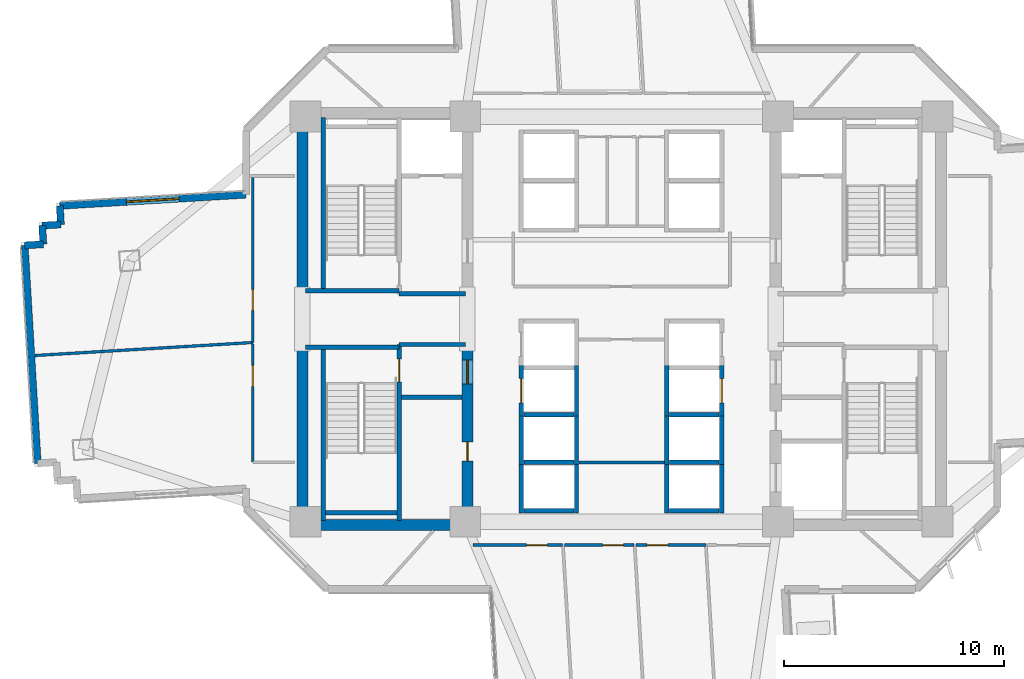
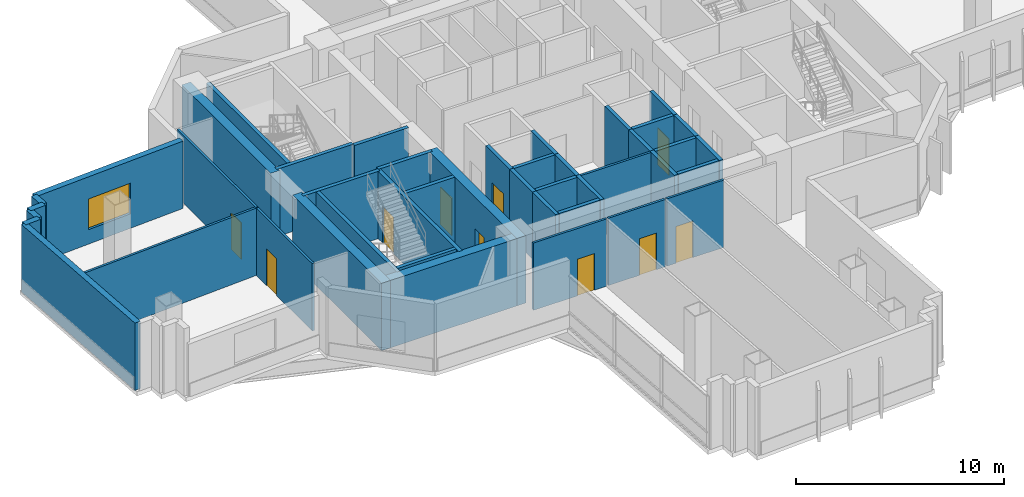
# One storey, part 6 of 15: 44 walls, 10 doors, 1 window, 11 openings.
"""IFC4 building model written with IfcOpenShell, lengths in metres."""

from ifc_helpers import new_model, si_unit, direction, frame, frame_2d, origin, place, context, subcontext, project, spatial, rectangle, extrude, source, transform, mapped, material, layer, layer_set, type_object, element, fill, save


model = new_model("IFC4")

# Units and contexts
model_context = context("Model", 3, precision=1e-05, world=origin(), true_north=direction((0.0, 1.0)))
body_context = subcontext(model_context, "Body", "Model", "MODEL_VIEW")
ifc_project = project(units=[si_unit("LENGTHUNIT", "METRE"), si_unit("AREAUNIT", "SQUARE_METRE"), si_unit("VOLUMEUNIT", "CUBIC_METRE"), si_unit("PLANEANGLEUNIT", "RADIAN"), si_unit("MASSUNIT", "GRAM", prefix="KILO")], contexts=[model_context])

# Site, building, storey
site_placement = place(None, origin())
site = spatial("IfcSite", under=ifc_project, at=site_placement, CompositionType="ELEMENT")
building_placement = place(site_placement, origin())
building = spatial("IfcBuilding", under=site, at=building_placement, Name="Zahravan Cultural Tower", CompositionType="ELEMENT")
storey_placement = place(building_placement, frame((0.0, 0.0, 71.10009765625)))
storey = spatial("IfcBuildingStorey", under=building, at=storey_placement, Name="L15", CompositionType="ELEMENT", Elevation=71.10009765625)

# Wall, openings, doors
ifc_material_1 = material(Name="Concrete C60/75", Category="concrete")
ifc_layer_1 = layer(ifc_material_1, 0.5)
ifc_layer_set_1 = layer_set([ifc_layer_1], Name="Concrete C60/75")
wall_type_1 = type_object("IfcWallType", Name="CW-SHEAR-500-C60", PredefinedType="SHEAR", material=ifc_layer_set_1)
wall_1_placement = place(storey_placement, frame((29.0, 17.39990234375, 0.0), z_axis=(0.0, 0.0, 1.0), x_axis=(0.0, 1.0, 0.0)))
wall_1 = element("IfcWall", 1, at=wall_1_placement, inside=storey, type_object=wall_type_1, Name="L15 Core Shear Wall CW-W-ES-L15", PredefinedType="SHEAR", context=body_context, shape_type="SweptSolid", body=[
    extrude(rectangle(XDim=8.550048828125, YDim=0.5, at=frame_2d((4.27490234375, 0.0))), origin(), (0.0, 0.0, 1.0), 3.949951171875),
])
opening_1_placement = place(wall_1_placement, frame((6.64990234375, 0.0, 0.0)))
opening_1 = element("IfcOpeningElement", 2, at=opening_1_placement, cuts=wall_1, Name="Opening D-L15-07", PredefinedType="OPENING", context=body_context, shape_type="SweptSolid", body=[
    extrude(rectangle(XDim=1.10009765625, YDim=2.199951171875, at=frame_2d((0.550048828125, 1.10009765625))), frame((0.0, 0.260009765625, 0.0), z_axis=(0.0, -1.0, 0.0), x_axis=(1.0, 0.0, 0.0)), (0.0, 0.0, 1.0), 0.52001953125),
])
opening_2_placement = place(wall_1_placement, frame((3.14990234375, 0.0, 0.0)))
opening_2 = element("IfcOpeningElement", 3, at=opening_2_placement, cuts=wall_1, Name="Opening D-L15-09", PredefinedType="OPENING", context=body_context, shape_type="SweptSolid", body=[
    extrude(rectangle(XDim=0.8798828125, YDim=2.10009765625, at=frame_2d((0.43994140625, 1.050048828125))), frame((0.0, 0.260009765625, 0.0), z_axis=(0.0, -1.0, 0.0), x_axis=(1.0, 0.0, 0.0)), (0.0, 0.0, 1.0), 0.52001953125),
])
ifc_material_2 = material(Name="Steel ASTM A572 Grade 50", Category="steel")
door_type_1 = type_object("IfcDoorType", Name="DR-LOBBY-1100", OperationType="NOTDEFINED", PredefinedType="DOOR", material=ifc_material_2)
shared_shape_1 = source(origin(), body_context, "Body", "SweptSolid", [
    extrude(rectangle(XDim=1.10009765625, YDim=2.199951171875, at=frame_2d((0.550048828125, 1.10009765625))), frame((0.0, 0.02490234375, 0.0), z_axis=(0.0, -1.0, 0.0), x_axis=(1.0, 0.0, 0.0)), (0.0, 0.0, 1.0), 0.050048828125),
])
door_1_placement = place(opening_1_placement, origin())
door_1 = element("IfcDoor", 4, at=door_1_placement, inside=storey, type_object=door_type_1, Name="L15 Door D-L15-07", OperationType="SINGLE_SWING_LEFT", OverallHeight=2.199951171875, OverallWidth=1.10009765625, PredefinedType="DOOR", context=body_context, shape_type="MappedRepresentation", body=[
    mapped(shared_shape_1, transform((0.0, 0.0, 0.0), x_axis=(1.0, 0.0, 0.0), y_axis=(0.0, 1.0, 0.0), z_axis=(0.0, 0.0, 1.0), scale=1.0)),
])
fill(opening_1, door_1)
door_type_2 = type_object("IfcDoorType", Name="DR-SVC-880", OperationType="NOTDEFINED", PredefinedType="DOOR", material=ifc_material_2)
shared_shape_2 = source(origin(), body_context, "Body", "SweptSolid", [
    extrude(rectangle(XDim=0.8798828125, YDim=2.10009765625, at=frame_2d((0.43994140625, 1.050048828125))), frame((0.0, 0.02490234375, 0.0), z_axis=(0.0, -1.0, 0.0), x_axis=(1.0, 0.0, 0.0)), (0.0, 0.0, 1.0), 0.050048828125),
])
door_2_placement = place(opening_2_placement, origin())
door_2 = element("IfcDoor", 5, at=door_2_placement, inside=storey, type_object=door_type_2, Name="L15 Door D-L15-09", OperationType="SINGLE_SWING_LEFT", OverallHeight=2.10009765625, OverallWidth=0.8798828125, PredefinedType="DOOR", context=body_context, shape_type="MappedRepresentation", body=[
    mapped(shared_shape_2, transform((0.0, 0.0, 0.0), x_axis=(1.0, 0.0, 0.0), y_axis=(0.0, 1.0, 0.0), z_axis=(0.0, 0.0, 1.0), scale=1.0)),
])
fill(opening_2, door_2)

# Wall, opening, window
ifc_material_3 = material(Name="Precast concrete C40/50", Category="concrete")
ifc_layer_2 = layer(ifc_material_3, 0.320068359375)
ifc_layer_set_2 = layer_set([ifc_layer_2], Name="Precast concrete C40/50")
wall_type_2 = type_object("IfcWallType", Name="EW-TC-320", PredefinedType="SOLIDWALL", material=ifc_layer_set_2)
wall_2_placement = place(storey_placement, frame((10.487548828125, 32.147216796875, 0.0), z_axis=(0.0, 0.0, 1.0), x_axis=(0.998219055518, 0.059654984716, 0.0)))
wall_2 = element("IfcWall", 6, at=wall_2_placement, inside=storey, type_object=wall_type_2, Name="L15 Exterior Masonry Frame Wall 38", PredefinedType="SOLIDWALL", context=body_context, shape_type="SweptSolid", body=[
    extrude(rectangle(XDim=8.467529296875, YDim=0.320068359375, at=frame_2d((4.23388671875, 0.0))), origin(), (0.0, 0.0, 1.0), 3.949951171875),
])
opening_3_placement = place(wall_2_placement, frame((3.033935546875, 0.0, 0.85009765625)))
opening_3 = element("IfcOpeningElement", 7, at=opening_3_placement, cuts=wall_2, Name="Opening WN-01", PredefinedType="OPENING", context=body_context, shape_type="SweptSolid", body=[
    extrude(rectangle(XDim=2.39990234375, YDim=1.800048828125, at=frame_2d((1.199951171875, 0.89990234375))), frame((0.0, 0.169921875, 0.0), z_axis=(0.0, -1.0, 0.0), x_axis=(1.0, 0.0, 0.0)), (0.0, 0.0, 1.0), 0.340087890625),
])
ifc_material_4 = material(Name="Low-E solar-control double glazing", Category="glass")
window_type = type_object("IfcWindowType", Name="WN-REC-2400X1800", PartitioningType="DOUBLE_PANEL_VERTICAL", PredefinedType="WINDOW", material=ifc_material_4)
shared_shape_3 = source(origin(), body_context, "Body", "SweptSolid", [
    extrude(rectangle(XDim=2.39990234375, YDim=1.800048828125, at=frame_2d((1.199951171875, 0.89990234375))), frame((0.0, 0.030029296875, 0.0), z_axis=(0.0, -1.0, 0.0), x_axis=(1.0, 0.0, 0.0)), (0.0, 0.0, 1.0), 0.06005859375),
])
window_placement = place(opening_3_placement, origin())
window = element("IfcWindow", 8, at=window_placement, inside=storey, type_object=window_type, Name="L15 Recessed Solar Window 08", OverallHeight=1.800048828125, OverallWidth=2.39990234375, PartitioningType="DOUBLE_PANEL_VERTICAL", PredefinedType="WINDOW", context=body_context, shape_type="MappedRepresentation", body=[
    mapped(shared_shape_3, transform((0.0, 0.0, 0.0), x_axis=(1.0, 0.0, 0.0), y_axis=(0.0, 1.0, 0.0), z_axis=(0.0, 0.0, 1.0), scale=1.0)),
])
fill(opening_3, window)

# Wall, opening, door
ifc_material_5 = material(Name="Gypsum plasterboard partition")
ifc_layer_3 = layer(ifc_material_5, 0.125)
ifc_layer_set_3 = layer_set([ifc_layer_3], Name="Gypsum plasterboard partition")
wall_type_3 = type_object("IfcWallType", Name="W-PART-125", PredefinedType="PARTITIONING", material=ifc_layer_set_3)
wall_3_placement = place(storey_placement, frame((36.66064453125, 16.739990234375, 0.0), z_axis=(0.0, 0.0, 1.0), x_axis=(1.0, 0.0, 0.0)))
wall_3 = element("IfcWall", 9, at=wall_3_placement, inside=storey, type_object=wall_type_3, Name="L15 Interior Wall 080", PredefinedType="PARTITIONING", context=body_context, shape_type="SweptSolid", body=[
    extrude(rectangle(XDim=3.168212890625, YDim=0.125, at=frame_2d((1.583984375, 0.0))), origin(), (0.0, 0.0, 1.0), 3.949951171875),
])
opening_4_placement = place(wall_3_placement, frame((0.488037109375, 0.0, 0.0)))
opening_4 = element("IfcOpeningElement", 10, at=opening_4_placement, cuts=wall_3, Name="Opening D-L15-24", PredefinedType="OPENING", context=body_context, shape_type="SweptSolid", body=[
    extrude(rectangle(XDim=0.949951171875, YDim=2.14990234375, at=frame_2d((0.47509765625, 1.074951171875))), frame((0.0, 0.072509765625, 0.0), z_axis=(0.0, -1.0, 0.0), x_axis=(1.0, 0.0, 0.0)), (0.0, 0.0, 1.0), 0.14501953125),
])
ifc_material_6 = material(Name="Anodised bronze-aluminium mullion", Category="aluminium")
door_type_3 = type_object("IfcDoorType", Name="DR-ROOM-950", OperationType="NOTDEFINED", PredefinedType="DOOR", material=ifc_material_6)
shared_shape_4 = source(origin(), body_context, "Body", "SweptSolid", [
    extrude(rectangle(XDim=0.949951171875, YDim=2.14990234375, at=frame_2d((0.47509765625, 1.074951171875))), frame((0.0, 0.02490234375, 0.0), z_axis=(0.0, -1.0, 0.0), x_axis=(1.0, 0.0, 0.0)), (0.0, 0.0, 1.0), 0.050048828125),
])
door_3_placement = place(opening_4_placement, origin())
door_3 = element("IfcDoor", 11, at=door_3_placement, inside=storey, type_object=door_type_3, Name="L15 Door D-L15-24", OperationType="SINGLE_SWING_RIGHT", OverallHeight=2.14990234375, OverallWidth=0.949951171875, PredefinedType="DOOR", context=body_context, shape_type="MappedRepresentation", body=[
    mapped(shared_shape_4, transform((0.0, 0.0, 0.0), x_axis=(1.0, 0.0, 0.0), y_axis=(0.0, 1.0, 0.0), z_axis=(0.0, 0.0, 1.0), scale=1.0)),
])
fill(opening_4, door_3)

wall_4_placement = place(storey_placement, frame((33.40478515625, 16.739990234375, 0.0), z_axis=(0.0, 0.0, 1.0), x_axis=(1.0, 0.0, 0.0)))
wall_4 = element("IfcWall", 12, at=wall_4_placement, inside=storey, type_object=wall_type_3, Name="L15 Interior Wall 083", PredefinedType="PARTITIONING", context=body_context, shape_type="SweptSolid", body=[
    extrude(rectangle(XDim=3.168212890625, YDim=0.125, at=frame_2d((1.583984375, 0.0))), origin(), (0.0, 0.0, 1.0), 3.949951171875),
])
opening_5_placement = place(wall_4_placement, frame((1.730224609375, 0.0, 0.0)))
opening_5 = element("IfcOpeningElement", 13, at=opening_5_placement, cuts=wall_4, Name="Opening D-L15-23", PredefinedType="OPENING", context=body_context, shape_type="SweptSolid", body=[
    extrude(rectangle(XDim=0.949951171875, YDim=2.14990234375, at=frame_2d((0.47509765625, 1.074951171875))), frame((0.0, 0.072509765625, 0.0), z_axis=(0.0, -1.0, 0.0), x_axis=(1.0, 0.0, 0.0)), (0.0, 0.0, 1.0), 0.14501953125),
])
door_4_placement = place(opening_5_placement, origin())
door_4 = element("IfcDoor", 14, at=door_4_placement, inside=storey, type_object=door_type_3, Name="L15 Door D-L15-23", OperationType="SINGLE_SWING_LEFT", OverallHeight=2.14990234375, OverallWidth=0.949951171875, PredefinedType="DOOR", context=body_context, shape_type="MappedRepresentation", body=[
    mapped(shared_shape_4, transform((0.0, 0.0, 0.0), x_axis=(1.0, 0.0, 0.0), y_axis=(0.0, 1.0, 0.0), z_axis=(0.0, 0.0, 1.0), scale=1.0)),
])
fill(opening_5, door_4)

wall_5_placement = place(storey_placement, frame((29.257568359375, 16.740234375, 0.0), z_axis=(0.0, 0.0, 1.0), x_axis=(0.999999998192, -6.0135907e-05, 0.0)))
wall_5 = element("IfcWall", 15, at=wall_5_placement, inside=storey, type_object=wall_type_3, Name="L15 Interior Wall 087", PredefinedType="PARTITIONING", context=body_context, shape_type="SweptSolid", body=[
    extrude(rectangle(XDim=4.059814453125, YDim=0.125, at=frame_2d((2.02978515625, 0.0))), origin(), (0.0, 0.0, 1.0), 3.949951171875),
])
opening_6_placement = place(wall_5_placement, frame((2.425537109375, 0.0, 0.0)))
opening_6 = element("IfcOpeningElement", 16, at=opening_6_placement, cuts=wall_5, Name="Opening D-L15-22", PredefinedType="OPENING", context=body_context, shape_type="SweptSolid", body=[
    extrude(rectangle(XDim=0.949951171875, YDim=2.14990234375, at=frame_2d((0.47509765625, 1.074951171875))), frame((0.0, 0.072509765625, 0.0), z_axis=(0.0, -1.0, 0.0), x_axis=(1.0, 0.0, 0.0)), (0.0, 0.0, 1.0), 0.14501953125),
])
door_5_placement = place(opening_6_placement, origin())
door_5 = element("IfcDoor", 17, at=door_5_placement, inside=storey, type_object=door_type_3, Name="L15 Door D-L15-22", OperationType="SINGLE_SWING_RIGHT", OverallHeight=2.14990234375, OverallWidth=0.949951171875, PredefinedType="DOOR", context=body_context, shape_type="MappedRepresentation", body=[
    mapped(shared_shape_4, transform((0.0, 0.0, 0.0), x_axis=(1.0, 0.0, 0.0), y_axis=(0.0, 1.0, 0.0), z_axis=(0.0, 0.0, 1.0), scale=1.0)),
])
fill(opening_6, door_5)

wall_6_placement = place(storey_placement, frame((19.252685546875, 33.497314453125, 0.0), z_axis=(0.0, 0.0, 1.0), x_axis=(-0.000355308612, -0.999999936878, 0.0)))
wall_6 = element("IfcWall", 18, at=wall_6_placement, inside=storey, type_object=wall_type_3, Name="L15 Interior Wall 094", PredefinedType="PARTITIONING", context=body_context, shape_type="SweptSolid", body=[
    extrude(rectangle(XDim=7.558349609375, YDim=0.125, at=frame_2d((3.779296875, 0.0))), origin(), (0.0, 0.0, 1.0), 3.949951171875),
])
opening_7_placement = place(wall_6_placement, frame((5.154541015625, 0.0, 0.0)))
opening_7 = element("IfcOpeningElement", 19, at=opening_7_placement, cuts=wall_6, Name="Opening D-L15-20", PredefinedType="OPENING", context=body_context, shape_type="SweptSolid", body=[
    extrude(rectangle(XDim=0.949951171875, YDim=2.14990234375, at=frame_2d((0.47509765625, 1.074951171875))), frame((0.0, 0.072509765625, 0.0), z_axis=(0.0, -1.0, 0.0), x_axis=(1.0, 0.0, 0.0)), (0.0, 0.0, 1.0), 0.14501953125),
])
door_6_placement = place(opening_7_placement, origin())
door_6 = element("IfcDoor", 20, at=door_6_placement, inside=storey, type_object=door_type_3, Name="L15 Door D-L15-20", OperationType="SINGLE_SWING_RIGHT", OverallHeight=2.14990234375, OverallWidth=0.949951171875, PredefinedType="DOOR", context=body_context, shape_type="MappedRepresentation", body=[
    mapped(shared_shape_4, transform((0.0, 0.0, 0.0), x_axis=(1.0, 0.0, 0.0), y_axis=(0.0, 1.0, 0.0), z_axis=(0.0, 0.0, 1.0), scale=1.0)),
])
fill(opening_7, door_6)

wall_7_placement = place(storey_placement, frame((19.25, 25.871337890625, 0.0), z_axis=(0.0, 0.0, 1.0), x_axis=(9.0962841e-05, -0.999999995863, 0.0)))
wall_7 = element("IfcWall", 21, at=wall_7_placement, inside=storey, type_object=wall_type_3, Name="L15 Interior Wall 097", PredefinedType="PARTITIONING", context=body_context, shape_type="SweptSolid", body=[
    extrude(rectangle(XDim=5.367919921875, YDim=0.125, at=frame_2d((2.68408203125, 0.0))), origin(), (0.0, 0.0, 1.0), 3.949951171875),
])
opening_8_placement = place(wall_7_placement, frame((0.971923828125, 0.0, 0.0)))
opening_8 = element("IfcOpeningElement", 22, at=opening_8_placement, cuts=wall_7, Name="Opening D-L15-21", PredefinedType="OPENING", context=body_context, shape_type="SweptSolid", body=[
    extrude(rectangle(XDim=0.949951171875, YDim=2.14990234375, at=frame_2d((0.47509765625, 1.074951171875))), frame((0.0, 0.072509765625, 0.0), z_axis=(0.0, -1.0, 0.0), x_axis=(1.0, 0.0, 0.0)), (0.0, 0.0, 1.0), 0.14501953125),
])
door_7_placement = place(opening_8_placement, origin())
door_7 = element("IfcDoor", 23, at=door_7_placement, inside=storey, type_object=door_type_3, Name="L15 Door D-L15-21", OperationType="SINGLE_SWING_LEFT", OverallHeight=2.14990234375, OverallWidth=0.949951171875, PredefinedType="DOOR", context=body_context, shape_type="MappedRepresentation", body=[
    mapped(shared_shape_4, transform((0.0, 0.0, 0.0), x_axis=(1.0, 0.0, 0.0), y_axis=(0.0, 1.0, 0.0), z_axis=(0.0, 0.0, 1.0), scale=1.0)),
])
fill(opening_8, door_7)

ifc_material_7 = material(Name="Concrete C45/55", Category="concrete")
ifc_layer_4 = layer(ifc_material_7, 0.199951171875)
ifc_layer_set_4 = layer_set([ifc_layer_4], Name="Concrete C45/55")
wall_type_4 = type_object("IfcWallType", Name="W-SHAFT-200", PredefinedType="SOLIDWALL", material=ifc_layer_set_4)
wall_8_placement = place(storey_placement, frame((25.89990234375, 17.85009765625, 0.0), z_axis=(0.0, 0.0, 1.0), x_axis=(0.0, 1.0, 0.0)))
wall_8 = element("IfcWall", 24, at=wall_8_placement, inside=storey, type_object=wall_type_4, Name="L15 Interior Wall 005", PredefinedType="SOLIDWALL", context=body_context, shape_type="SweptSolid", body=[
    extrude(rectangle(XDim=8.0, YDim=0.199951171875, at=frame_2d((4.0, 0.0))), origin(), (0.0, 0.0, 1.0), 3.949951171875),
])
opening_9_placement = place(wall_8_placement, frame((6.300048828125, 0.0, 0.0)))
opening_9 = element("IfcOpeningElement", 25, at=opening_9_placement, cuts=wall_8, Name="Opening D-L15-04", PredefinedType="OPENING", context=body_context, shape_type="SweptSolid", body=[
    extrude(rectangle(XDim=1.050048828125, YDim=2.14990234375, at=frame_2d((0.52490234375, 1.074951171875))), frame((0.0, 0.10986328125, 0.0), z_axis=(0.0, -1.0, 0.0), x_axis=(1.0, 0.0, 0.0)), (0.0, 0.0, 1.0), 0.219970703125),
])
door_type_4 = type_object("IfcDoorType", Name="DR-STAIR-1050", OperationType="NOTDEFINED", PredefinedType="DOOR", material=ifc_material_2)
shared_shape_5 = source(origin(), body_context, "Body", "SweptSolid", [
    extrude(rectangle(XDim=1.050048828125, YDim=2.14990234375, at=frame_2d((0.52490234375, 1.074951171875))), frame((0.0, 0.02490234375, 0.0), z_axis=(0.0, -1.0, 0.0), x_axis=(1.0, 0.0, 0.0)), (0.0, 0.0, 1.0), 0.050048828125),
])
door_8_placement = place(opening_9_placement, origin())
door_8 = element("IfcDoor", 26, at=door_8_placement, inside=storey, type_object=door_type_4, Name="L15 Door D-L15-04", OperationType="SINGLE_SWING_RIGHT", OverallHeight=2.14990234375, OverallWidth=1.050048828125, PredefinedType="DOOR", context=body_context, shape_type="MappedRepresentation", body=[
    mapped(shared_shape_5, transform((0.0, 0.0, 0.0), x_axis=(1.0, 0.0, 0.0), y_axis=(0.0, 1.0, 0.0), z_axis=(0.0, 0.0, 1.0), scale=1.0)),
])
fill(opening_9, door_8)

wall_9_placement = place(storey_placement, frame((31.449951171875, 22.60009765625, 0.0), z_axis=(0.0, 0.0, 1.0), x_axis=(0.0, 1.0, 0.0)))
wall_9 = element("IfcWall", 27, at=wall_9_placement, inside=storey, type_object=wall_type_4, Name="L15 Interior Wall 058", PredefinedType="SOLIDWALL", context=body_context, shape_type="SweptSolid", body=[
    extrude(rectangle(XDim=2.2998046875, YDim=0.199951171875, at=frame_2d((1.14990234375, 0.0))), origin(), (0.0, 0.0, 1.0), 3.949951171875),
])
opening_10_placement = place(wall_9_placement, frame((0.60009765625, 0.0, 0.0)))
opening_10 = element("IfcOpeningElement", 28, at=opening_10_placement, cuts=wall_9, Name="Opening LD-L15-05", PredefinedType="OPENING", context=body_context, shape_type="SweptSolid", body=[
    extrude(rectangle(XDim=1.10009765625, YDim=2.14990234375, at=frame_2d((0.550048828125, 1.074951171875))), frame((0.0, 0.10986328125, 0.0), z_axis=(0.0, -1.0, 0.0), x_axis=(1.0, 0.0, 0.0)), (0.0, 0.0, 1.0), 0.219970703125),
])
door_type_5 = type_object("IfcDoorType", Name="DR-LIFT-1100", OperationType="DOUBLE_DOOR_SLIDING", PredefinedType="DOOR", material=ifc_material_2)
shared_shape_6 = source(origin(), body_context, "Body", "SweptSolid", [
    extrude(rectangle(XDim=1.10009765625, YDim=2.14990234375, at=frame_2d((0.550048828125, 1.074951171875))), frame((0.0, 0.02490234375, 0.0), z_axis=(0.0, -1.0, 0.0), x_axis=(1.0, 0.0, 0.0)), (0.0, 0.0, 1.0), 0.050048828125),
])
door_9_placement = place(opening_10_placement, origin())
door_9 = element("IfcDoor", 29, at=door_9_placement, inside=storey, type_object=door_type_5, Name="L15 Door LD-L15-05", OperationType="DOUBLE_DOOR_SLIDING", OverallHeight=2.14990234375, OverallWidth=1.10009765625, PredefinedType="DOOR", context=body_context, shape_type="MappedRepresentation", body=[
    mapped(shared_shape_6, transform((0.0, 0.0, 0.0), x_axis=(1.0, 0.0, 0.0), y_axis=(0.0, 1.0, 0.0), z_axis=(0.0, 0.0, 1.0), scale=1.0)),
])
fill(opening_10, door_9)

wall_10_placement = place(storey_placement, frame((40.550048828125, 22.60009765625, 0.0), z_axis=(0.0, 0.0, 1.0), x_axis=(0.0, 1.0, 0.0)))
wall_10 = element("IfcWall", 30, at=wall_10_placement, inside=storey, type_object=wall_type_4, Name="L15 Interior Wall 065", PredefinedType="SOLIDWALL", context=body_context, shape_type="SweptSolid", body=[
    extrude(rectangle(XDim=2.2998046875, YDim=0.199951171875, at=frame_2d((1.14990234375, 0.0))), origin(), (0.0, 0.0, 1.0), 3.949951171875),
])
opening_11_placement = place(wall_10_placement, frame((0.60009765625, 0.0, 0.0)))
opening_11 = element("IfcOpeningElement", 31, at=opening_11_placement, cuts=wall_10, Name="Opening LD-L15-07", PredefinedType="OPENING", context=body_context, shape_type="SweptSolid", body=[
    extrude(rectangle(XDim=1.10009765625, YDim=2.14990234375, at=frame_2d((0.550048828125, 1.074951171875))), frame((0.0, 0.10986328125, 0.0), z_axis=(0.0, -1.0, 0.0), x_axis=(1.0, 0.0, 0.0)), (0.0, 0.0, 1.0), 0.219970703125),
])
door_10_placement = place(opening_11_placement, origin())
door_10 = element("IfcDoor", 32, at=door_10_placement, inside=storey, type_object=door_type_5, Name="L15 Door LD-L15-07", OperationType="DOUBLE_DOOR_SLIDING", OverallHeight=2.14990234375, OverallWidth=1.10009765625, PredefinedType="DOOR", context=body_context, shape_type="MappedRepresentation", body=[
    mapped(shared_shape_6, transform((0.0, 0.0, 0.0), x_axis=(1.0, 0.0, 0.0), y_axis=(0.0, 1.0, 0.0), z_axis=(0.0, 0.0, 1.0), scale=1.0)),
])
fill(opening_11, door_10)

# Walls
shared_shape_7 = source(origin(), body_context, "Body", "SweptSolid", [
    extrude(rectangle(XDim=8.550048828125, YDim=0.5, at=frame_2d((4.27490234375, 0.0))), origin(), (0.0, 0.0, 1.0), 3.949951171875),
])
for number, where, z_axis, x_axis, name in (
    (33, (21.5, 17.39990234375, 0.0), (0.0, 0.0, 1.0), (0.0, 1.0, 0.0), "L15 Core Shear Wall CW-W-WS-L15"),
    (34, (21.5, 28.050048828125, 0.0), (0.0, 0.0, 1.0), (0.0, 1.0, 0.0), "L15 Core Shear Wall CW-W-WN-L15"),
):
    element("IfcWall", number, at=place(storey_placement, frame(where, z_axis=z_axis, x_axis=x_axis)), inside=storey, type_object=wall_type_1, Name=name, PredefinedType="SHEAR", context=body_context, shape_type="MappedRepresentation", body=[
        mapped(shared_shape_7, transform((0.0, 0.0, 0.0), x_axis=(1.0, 0.0, 0.0), y_axis=(0.0, 1.0, 0.0), z_axis=(0.0, 0.0, 1.0), scale=1.0)),
    ])
shared_shape_8 = source(origin(), body_context, "Body", "SweptSolid", [
    extrude(rectangle(XDim=7.0, YDim=0.5, at=frame_2d((3.5, 0.0))), origin(), (0.0, 0.0, 1.0), 3.949951171875),
])
wall_11_placement = place(storey_placement, frame((21.75, 17.64990234375, 0.0), z_axis=(0.0, 0.0, 1.0), x_axis=(1.0, 0.0, 0.0)))
element("IfcWall", 35, at=wall_11_placement, inside=storey, type_object=wall_type_1, Name="L15 Core Shear Wall CW-W-S-L15", PredefinedType="SHEAR", context=body_context, shape_type="MappedRepresentation", body=[
    mapped(shared_shape_8, transform((0.0, 0.0, 0.0), x_axis=(1.0, 0.0, 0.0), y_axis=(0.0, 1.0, 0.0), z_axis=(0.0, 0.0, 1.0), scale=1.0)),
])
shared_shape_9 = source(origin(), body_context, "Body", "SweptSolid", [
    extrude(rectangle(XDim=0.849853515625, YDim=0.320068359375, at=frame_2d((0.4248046875, 0.0))), origin(), (0.0, 0.0, 1.0), 3.949951171875),
])
wall_12_placement = place(storey_placement, frame((9.689697265625, 31.248046875, 0.0), z_axis=(0.0, 0.0, 1.0), x_axis=(0.998230513845, 0.059462939961, 0.0)))
element("IfcWall", 36, at=wall_12_placement, inside=storey, type_object=wall_type_2, Name="L15 Exterior Masonry Frame Wall 36", PredefinedType="SOLIDWALL", context=body_context, shape_type="MappedRepresentation", body=[
    mapped(shared_shape_9, transform((0.0, 0.0, 0.0), x_axis=(1.0, 0.0, 0.0), y_axis=(0.0, 1.0, 0.0), z_axis=(0.0, 0.0, 1.0), scale=1.0)),
])
shared_shape_10 = source(origin(), body_context, "Body", "SweptSolid", [
    extrude(rectangle(XDim=0.85009765625, YDim=0.320068359375, at=frame_2d((0.425048828125, 0.0))), origin(), (0.0, 0.0, 1.0), 3.949951171875),
])
for number, where, z_axis, x_axis, name in (
    (37, (8.891845703125, 30.348876953125, 0.0), (0.0, 0.0, 1.0), (0.998231529116, 0.059445893707, 0.0), "L15 Exterior Masonry Frame Wall 34"),
    (38, (9.740478515625, 30.3994140625, 0.0), (0.0, 0.0, 1.0), (-0.059732049764, 0.998214447016, 0.0), "L15 Exterior Masonry Frame Wall 35"),
    (39, (10.5380859375, 31.298583984375, 0.0), (0.0, 0.0, 1.0), (-0.059445893707, 0.998231529116, 0.0), "L15 Exterior Masonry Frame Wall 37"),
):
    element("IfcWall", number, at=place(storey_placement, frame(where, z_axis=z_axis, x_axis=x_axis)), inside=storey, type_object=wall_type_2, Name=name, PredefinedType="SOLIDWALL", context=body_context, shape_type="MappedRepresentation", body=[
        mapped(shared_shape_10, transform((0.0, 0.0, 0.0), x_axis=(1.0, 0.0, 0.0), y_axis=(0.0, 1.0, 0.0), z_axis=(0.0, 0.0, 1.0), scale=1.0)),
    ])
shared_shape_11 = source(origin(), body_context, "Body", "SweptSolid", [
    extrude(rectangle(XDim=9.919921875, YDim=0.320068359375, at=frame_2d((4.9599609375, 0.0))), origin(), (0.0, 0.0, 1.0), 3.949951171875),
])
wall_13_placement = place(storey_placement, frame((9.483642578125, 20.446533203125, 0.0), z_axis=(0.0, 0.0, 1.0), x_axis=(-0.059656871726, 0.998218942745, 0.0)))
element("IfcWall", 40, at=wall_13_placement, inside=storey, type_object=wall_type_2, Name="L15 Exterior Masonry Frame Wall 33", PredefinedType="SOLIDWALL", context=body_context, shape_type="MappedRepresentation", body=[
    mapped(shared_shape_11, transform((0.0, 0.0, 0.0), x_axis=(1.0, 0.0, 0.0), y_axis=(0.0, 1.0, 0.0), z_axis=(0.0, 0.0, 1.0), scale=1.0)),
])
shared_shape_12 = source(origin(), body_context, "Body", "SweptSolid", [
    extrude(rectangle(XDim=7.869873046875, YDim=0.199951171875, at=frame_2d((3.93505859375, 0.0))), origin(), (0.0, 0.0, 1.0), 3.949951171875),
])
for number, where, z_axis, x_axis, name in (
    (41, (22.449951171875, 17.85009765625, 0.0), (0.0, 0.0, 1.0), (0.0, 1.0, 0.0), "L15 Interior Wall 001"),
    (42, (22.449951171875, 28.280029296875, 0.0), (0.0, 0.0, 1.0), (0.0, 1.0, 0.0), "L15 Interior Wall 002"),
):
    element("IfcWall", number, at=place(storey_placement, frame(where, z_axis=z_axis, x_axis=x_axis)), inside=storey, type_object=wall_type_4, Name=name, PredefinedType="SOLIDWALL", context=body_context, shape_type="MappedRepresentation", body=[
        mapped(shared_shape_12, transform((0.0, 0.0, 0.0), x_axis=(1.0, 0.0, 0.0), y_axis=(0.0, 1.0, 0.0), z_axis=(0.0, 0.0, 1.0), scale=1.0)),
    ])
shared_shape_13 = source(origin(), body_context, "Body", "SweptSolid", [
    extrude(rectangle(XDim=4.25, YDim=0.199951171875, at=frame_2d((2.125, 0.0))), origin(), (0.0, 0.0, 1.0), 3.949951171875),
])
for number, where, z_axis, x_axis, name in (
    (43, (21.64990234375, 25.715087890625, 0.0), (0.0, 0.0, 1.0), (1.0, 0.0, 0.0), "L15 Interior Wall 009"),
    (44, (21.64990234375, 28.284912109375, 0.0), (0.0, 0.0, 1.0), (1.0, 0.0, 0.0), "L15 Interior Wall 011"),
):
    element("IfcWall", number, at=place(storey_placement, frame(where, z_axis=z_axis, x_axis=x_axis)), inside=storey, type_object=wall_type_4, Name=name, PredefinedType="SOLIDWALL", context=body_context, shape_type="MappedRepresentation", body=[
        mapped(shared_shape_13, transform((0.0, 0.0, 0.0), x_axis=(1.0, 0.0, 0.0), y_axis=(0.0, 1.0, 0.0), z_axis=(0.0, 0.0, 1.0), scale=1.0)),
    ])
shared_shape_14 = source(origin(), body_context, "Body", "SweptSolid", [
    extrude(rectangle(XDim=3.0, YDim=0.199951171875, at=frame_2d((1.5, 0.0))), origin(), (0.0, 0.0, 1.0), 3.949951171875),
])
for number, where, z_axis, x_axis, name in (
    (45, (25.89990234375, 25.85009765625, 0.0), (0.0, 0.0, 1.0), (1.0, 0.0, 0.0), "L15 Interior Wall 010"),
    (46, (25.89990234375, 28.14990234375, 0.0), (0.0, 0.0, 1.0), (1.0, 0.0, 0.0), "L15 Interior Wall 012"),
):
    element("IfcWall", number, at=place(storey_placement, frame(where, z_axis=z_axis, x_axis=x_axis)), inside=storey, type_object=wall_type_4, Name=name, PredefinedType="SOLIDWALL", context=body_context, shape_type="MappedRepresentation", body=[
        mapped(shared_shape_14, transform((0.0, 0.0, 0.0), x_axis=(1.0, 0.0, 0.0), y_axis=(0.0, 1.0, 0.0), z_axis=(0.0, 0.0, 1.0), scale=1.0)),
    ])
shared_shape_15 = source(origin(), body_context, "Body", "SweptSolid", [
    extrude(rectangle(XDim=3.25, YDim=0.199951171875, at=frame_2d((1.625, 0.0))), origin(), (0.0, 0.0, 1.0), 3.949951171875),
])
wall_14_placement = place(storey_placement, frame((22.550048828125, 18.199951171875, 0.0), z_axis=(0.0, 0.0, 1.0), x_axis=(1.0, 0.0, 0.0)))
element("IfcWall", 47, at=wall_14_placement, inside=storey, type_object=wall_type_4, Name="L15 Interior Wall 019", PredefinedType="SOLIDWALL", context=body_context, shape_type="MappedRepresentation", body=[
    mapped(shared_shape_15, transform((0.0, 0.0, 0.0), x_axis=(1.0, 0.0, 0.0), y_axis=(0.0, 1.0, 0.0), z_axis=(0.0, 0.0, 1.0), scale=1.0)),
])
shared_shape_16 = source(origin(), body_context, "Body", "SweptSolid", [
    extrude(rectangle(XDim=2.75, YDim=0.199951171875, at=frame_2d((1.375, 0.0))), origin(), (0.0, 0.0, 1.0), 3.949951171875),
])
wall_15_placement = place(storey_placement, frame((26.0, 23.449951171875, 0.0), z_axis=(0.0, 0.0, 1.0), x_axis=(1.0, 0.0, 0.0)))
element("IfcWall", 48, at=wall_15_placement, inside=storey, type_object=wall_type_4, Name="L15 Interior Wall 023", PredefinedType="SOLIDWALL", context=body_context, shape_type="MappedRepresentation", body=[
    mapped(shared_shape_16, transform((0.0, 0.0, 0.0), x_axis=(1.0, 0.0, 0.0), y_axis=(0.0, 1.0, 0.0), z_axis=(0.0, 0.0, 1.0), scale=1.0)),
])
shared_shape_17 = source(origin(), body_context, "Body", "SweptSolid", [
    extrude(rectangle(XDim=2.260009765625, YDim=0.199951171875, at=frame_2d((1.1298828125, 0.0))), origin(), (0.0, 0.0, 1.0), 3.949951171875),
])
for number, where, z_axis, x_axis, name in (
    (49, (31.570068359375, 20.5, 0.0), (0.0, 0.0, 1.0), (1.0, 0.0, 0.0), "L15 Interior Wall 042"),
    (50, (31.570068359375, 22.64990234375, 0.0), (0.0, 0.0, 1.0), (1.0, 0.0, 0.0), "L15 Interior Wall 043"),
    (51, (31.570068359375, 18.300048828125, 0.0), (0.0, 0.0, 1.0), (1.0, 0.0, 0.0), "L15 Interior Wall 046"),
    (52, (38.169921875, 20.5, 0.0), (0.0, 0.0, 1.0), (1.0, 0.0, 0.0), "L15 Interior Wall 049"),
    (53, (38.169921875, 22.64990234375, 0.0), (0.0, 0.0, 1.0), (1.0, 0.0, 0.0), "L15 Interior Wall 050"),
    (54, (38.169921875, 18.300048828125, 0.0), (0.0, 0.0, 1.0), (1.0, 0.0, 0.0), "L15 Interior Wall 053"),
):
    element("IfcWall", number, at=place(storey_placement, frame(where, z_axis=z_axis, x_axis=x_axis)), inside=storey, type_object=wall_type_4, Name=name, PredefinedType="SOLIDWALL", context=body_context, shape_type="MappedRepresentation", body=[
        mapped(shared_shape_17, transform((0.0, 0.0, 0.0), x_axis=(1.0, 0.0, 0.0), y_axis=(0.0, 1.0, 0.0), z_axis=(0.0, 0.0, 1.0), scale=1.0)),
    ])
shared_shape_18 = source(origin(), body_context, "Body", "SweptSolid", [
    extrude(rectangle(XDim=2.35009765625, YDim=0.199951171875, at=frame_2d((1.175048828125, 0.0))), origin(), (0.0, 0.0, 1.0), 3.949951171875),
])
for number, where, z_axis, x_axis, name in (
    (55, (31.449951171875, 20.39990234375, 0.0), (0.0, 0.0, 1.0), (0.0, 1.0, 0.0), "L15 Interior Wall 040"),
    (56, (33.949951171875, 20.39990234375, 0.0), (0.0, 0.0, 1.0), (0.0, 1.0, 0.0), "L15 Interior Wall 041"),
    (57, (31.449951171875, 18.199951171875, 0.0), (0.0, 0.0, 1.0), (0.0, 1.0, 0.0), "L15 Interior Wall 044"),
    (58, (33.949951171875, 18.199951171875, 0.0), (0.0, 0.0, 1.0), (0.0, 1.0, 0.0), "L15 Interior Wall 045"),
    (59, (38.050048828125, 20.39990234375, 0.0), (0.0, 0.0, 1.0), (0.0, 1.0, 0.0), "L15 Interior Wall 047"),
    (60, (40.550048828125, 20.39990234375, 0.0), (0.0, 0.0, 1.0), (0.0, 1.0, 0.0), "L15 Interior Wall 048"),
    (61, (38.050048828125, 18.199951171875, 0.0), (0.0, 0.0, 1.0), (0.0, 1.0, 0.0), "L15 Interior Wall 051"),
    (62, (40.550048828125, 18.199951171875, 0.0), (0.0, 0.0, 1.0), (0.0, 1.0, 0.0), "L15 Interior Wall 052"),
):
    element("IfcWall", number, at=place(storey_placement, frame(where, z_axis=z_axis, x_axis=x_axis)), inside=storey, type_object=wall_type_4, Name=name, PredefinedType="SOLIDWALL", context=body_context, shape_type="MappedRepresentation", body=[
        mapped(shared_shape_18, transform((0.0, 0.0, 0.0), x_axis=(1.0, 0.0, 0.0), y_axis=(0.0, 1.0, 0.0), z_axis=(0.0, 0.0, 1.0), scale=1.0)),
    ])
shared_shape_19 = source(origin(), body_context, "Body", "SweptSolid", [
    extrude(rectangle(XDim=2.2998046875, YDim=0.199951171875, at=frame_2d((1.14990234375, 0.0))), origin(), (0.0, 0.0, 1.0), 3.949951171875),
])
for number, where, z_axis, x_axis, name in (
    (63, (33.949951171875, 22.60009765625, 0.0), (0.0, 0.0, 1.0), (0.0, 1.0, 0.0), "L15 Interior Wall 059"),
    (64, (38.050048828125, 22.60009765625, 0.0), (0.0, 0.0, 1.0), (0.0, 1.0, 0.0), "L15 Interior Wall 064"),
):
    element("IfcWall", number, at=place(storey_placement, frame(where, z_axis=z_axis, x_axis=x_axis)), inside=storey, type_object=wall_type_4, Name=name, PredefinedType="SOLIDWALL", context=body_context, shape_type="MappedRepresentation", body=[
        mapped(shared_shape_19, transform((0.0, 0.0, 0.0), x_axis=(1.0, 0.0, 0.0), y_axis=(0.0, 1.0, 0.0), z_axis=(0.0, 0.0, 1.0), scale=1.0)),
    ])
shared_shape_20 = source(origin(), body_context, "Body", "SweptSolid", [
    extrude(rectangle(XDim=3.89013671875, YDim=0.125, at=frame_2d((1.945068359375, 0.0))), origin(), (0.0, 0.0, 1.0), 3.949951171875),
])
wall_16_placement = place(storey_placement, frame((37.945068359375, 20.489990234375, 0.0), z_axis=(0.0, 0.0, 1.0), x_axis=(-1.0, 0.0, 0.0)))
element("IfcWall", 65, at=wall_16_placement, inside=storey, type_object=wall_type_3, Name="L15 Interior Wall 075", PredefinedType="PARTITIONING", context=body_context, shape_type="MappedRepresentation", body=[
    mapped(shared_shape_20, transform((0.0, 0.0, 0.0), x_axis=(1.0, 0.0, 0.0), y_axis=(0.0, 1.0, 0.0), z_axis=(0.0, 0.0, 1.0), scale=1.0)),
])
shared_shape_21 = source(origin(), body_context, "Body", "SweptSolid", [
    extrude(rectangle(XDim=9.911376953125, YDim=0.125, at=frame_2d((4.95556640625, 0.0))), origin(), (0.0, 0.0, 1.0), 3.949951171875),
])
wall_17_placement = place(storey_placement, frame((19.25, 25.93896484375, 0.0), z_axis=(0.0, 0.0, 1.0), x_axis=(-0.998218808208, -0.05965912285, 0.0)))
element("IfcWall", 66, at=wall_17_placement, inside=storey, type_object=wall_type_3, Name="L15 Interior Wall 095", PredefinedType="PARTITIONING", context=body_context, shape_type="MappedRepresentation", body=[
    mapped(shared_shape_21, transform((0.0, 0.0, 0.0), x_axis=(1.0, 0.0, 0.0), y_axis=(0.0, 1.0, 0.0), z_axis=(0.0, 0.0, 1.0), scale=1.0)),
])

save(model, "model.ifc")
